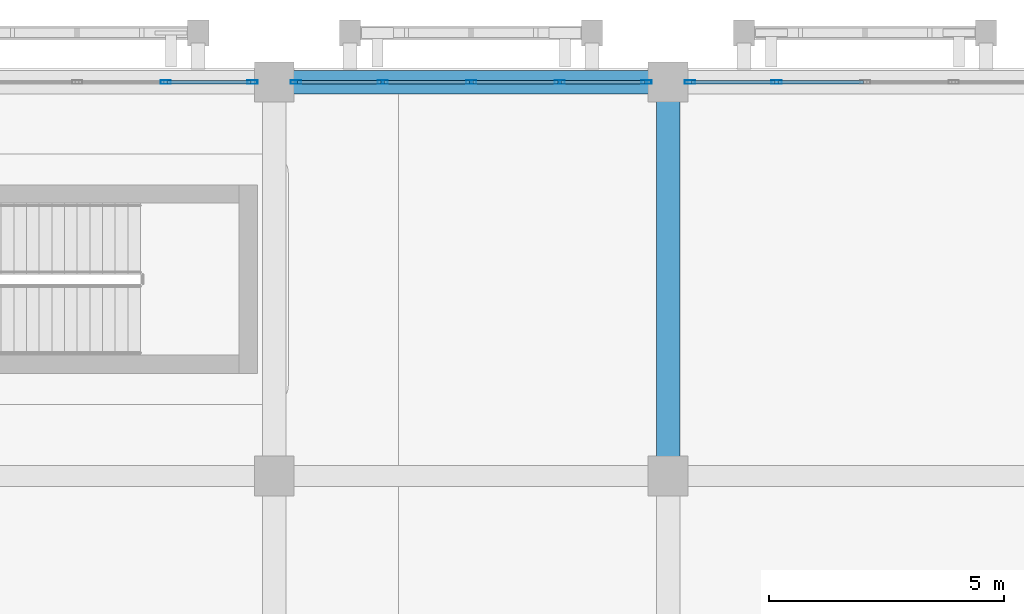
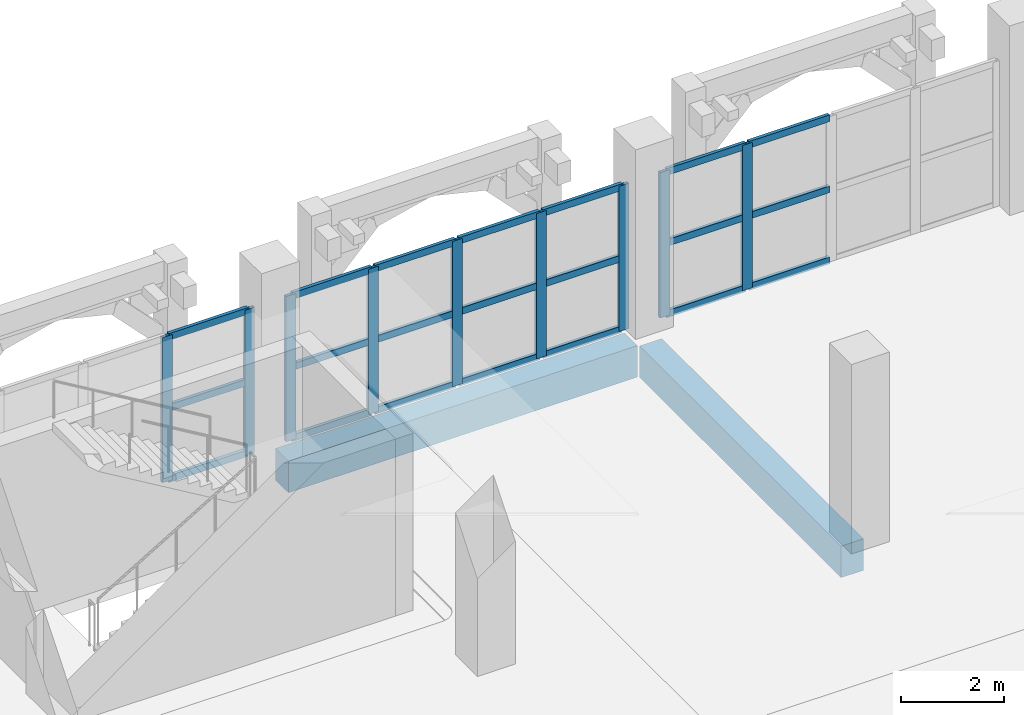
# One storey, part 56 of 129: 30 members, 2 beams, 3 elements without a shape of their own.
"""IFC4 building model written with IfcOpenShell, lengths in metres."""

from ifc_helpers import new_model, si_unit, direction, frame, origin, origin_2d, place, context, subcontext, project, spatial, rectangle, hollow_rectangle, extrude, material, layer, layer_set, material_profile, profile_set, type_object, element, aggregate, save


model = new_model("IFC4")

# Units and contexts
model_context = context("Model", 3, precision=1e-05, world=origin(), true_north=direction((0.0, 1.0)))
body_context = subcontext(model_context, "Body", "Model", "MODEL_VIEW")
ifc_project = project(units=[si_unit("LENGTHUNIT", "METRE"), si_unit("AREAUNIT", "SQUARE_METRE"), si_unit("VOLUMEUNIT", "CUBIC_METRE"), si_unit("PLANEANGLEUNIT", "RADIAN"), si_unit("MASSUNIT", "GRAM", prefix="KILO")], contexts=[model_context])

# Site, building, storey
site_placement = place(None, origin())
site = spatial("IfcSite", under=ifc_project, at=site_placement, CompositionType="ELEMENT")
building_placement = place(site_placement, origin())
building = spatial("IfcBuilding", under=site, at=building_placement, Name="Xazarin Passage Department Store", CompositionType="ELEMENT")
storey_placement = place(building_placement, frame((0.0, 0.0, 9.89990234375)))
storey = spatial("IfcBuildingStorey", under=building, at=storey_placement, Name="L02", CompositionType="ELEMENT", Elevation=9.89990234375)

# Curtain wall, members
ifc_material_1 = material(Name="Bronze anodised aluminium", Category="aluminium")
ifc_layer = layer(ifc_material_1, 0.199951171875)
ifc_layer_set = layer_set([ifc_layer], Name="Bronze anodised aluminium")
curtain_wall_type = type_object("IfcCurtainWallType", Name="ARC-CW-VIT2", PredefinedType="NOTDEFINED", material=ifc_layer_set)
curtain_wall_1_placement = place(storey_placement, origin())
curtain_wall_1 = element("IfcCurtainWall", 1, at=curtain_wall_1_placement, inside=storey, type_object=curtain_wall_type, Name="L02 V1 Curtain Wall 042", PredefinedType="NOTDEFINED")
ifc_material_profile_1 = material_profile(ifc_material_1, hollow_rectangle(XDim=0.074951171875, YDim=0.219970703125, WallThickness=0.0048828125, at=origin_2d()), Name="ALU 75x220")
ifc_profile_set_1 = profile_set([ifc_material_profile_1], Name="Bronze anodised aluminium")
member_type_1 = type_object("IfcMemberType", Name="ARC-CWM-75x220", PredefinedType="MULLION", material=ifc_profile_set_1)
member_1_placement = place(storey_placement, frame((31.28759765625, 110.0, 0.0), z_axis=(0.0, 0.0, 1.0), x_axis=(0.0, 1.0, 0.0)))
member_1 = element("IfcMember", 2, at=member_1_placement, type_object=member_type_1, Name="CW2 mullion 4", PredefinedType="MULLION", context=body_context, shape_type="SweptSolid", body=[
    extrude(hollow_rectangle(XDim=0.074951171875, YDim=0.219970703125, WallThickness=0.0048828125, at=origin_2d()), origin(), (0.0, 0.0, 1.0), 3.4501953125),
])
member_2_placement = place(storey_placement, frame((33.137451171875, 110.0, 0.0), z_axis=(0.0, 0.0, 1.0), x_axis=(0.0, 1.0, 0.0)))
member_2 = element("IfcMember", 3, at=member_2_placement, type_object=member_type_1, Name="CW2 mullion 5", PredefinedType="MULLION", context=body_context, shape_type="SweptSolid", body=[
    extrude(hollow_rectangle(XDim=0.074951171875, YDim=0.219970703125, WallThickness=0.0048828125, at=origin_2d()), origin(), (0.0, 0.0, 1.0), 3.4501953125),
])

curtain_wall_2_placement = place(storey_placement, origin())
curtain_wall_2 = element("IfcCurtainWall", 4, at=curtain_wall_2_placement, inside=storey, type_object=curtain_wall_type, Name="L02 V1 Curtain Wall 043", PredefinedType="NOTDEFINED")
member_3_placement = place(storey_placement, frame((34.0625, 110.0, 0.0), z_axis=(0.0, 0.0, 1.0), x_axis=(0.0, 1.0, 0.0)))
member_3 = element("IfcMember", 5, at=member_3_placement, type_object=member_type_1, Name="CW2 mullion 1", PredefinedType="MULLION", context=body_context, shape_type="SweptSolid", body=[
    extrude(hollow_rectangle(XDim=0.074951171875, YDim=0.219970703125, WallThickness=0.0048828125, at=origin_2d()), origin(), (0.0, 0.0, 1.0), 3.4501953125),
])
member_4_placement = place(storey_placement, frame((35.91259765625, 110.0, 0.0), z_axis=(0.0, 0.0, 1.0), x_axis=(0.0, 1.0, 0.0)))
member_4 = element("IfcMember", 6, at=member_4_placement, type_object=member_type_1, Name="CW2 mullion 2", PredefinedType="MULLION", context=body_context, shape_type="SweptSolid", body=[
    extrude(hollow_rectangle(XDim=0.074951171875, YDim=0.219970703125, WallThickness=0.0048828125, at=origin_2d()), origin(), (0.0, 0.0, 1.0), 3.4501953125),
])
member_5_placement = place(storey_placement, frame((37.800048828125, 110.0, 0.0), z_axis=(0.0, 0.0, 1.0), x_axis=(0.0, 1.0, 0.0)))
member_5 = element("IfcMember", 7, at=member_5_placement, type_object=member_type_1, Name="CW2 mullion 3", PredefinedType="MULLION", context=body_context, shape_type="SweptSolid", body=[
    extrude(hollow_rectangle(XDim=0.074951171875, YDim=0.219970703125, WallThickness=0.0048828125, at=origin_2d()), origin(), (0.0, 0.0, 1.0), 3.4501953125),
])
member_6_placement = place(storey_placement, frame((39.6875, 110.0, 0.0), z_axis=(0.0, 0.0, 1.0), x_axis=(0.0, 1.0, 0.0)))
member_6 = element("IfcMember", 8, at=member_6_placement, type_object=member_type_1, Name="CW2 mullion 4", PredefinedType="MULLION", context=body_context, shape_type="SweptSolid", body=[
    extrude(hollow_rectangle(XDim=0.074951171875, YDim=0.219970703125, WallThickness=0.0048828125, at=origin_2d()), origin(), (0.0, 0.0, 1.0), 3.4501953125),
])
member_7_placement = place(storey_placement, frame((41.53759765625, 110.0, 0.0), z_axis=(0.0, 0.0, 1.0), x_axis=(0.0, 1.0, 0.0)))
member_7 = element("IfcMember", 9, at=member_7_placement, type_object=member_type_1, Name="CW2 mullion 5", PredefinedType="MULLION", context=body_context, shape_type="SweptSolid", body=[
    extrude(hollow_rectangle(XDim=0.074951171875, YDim=0.219970703125, WallThickness=0.0048828125, at=origin_2d()), origin(), (0.0, 0.0, 1.0), 3.4501953125),
])

curtain_wall_3_placement = place(storey_placement, origin())
curtain_wall_3 = element("IfcCurtainWall", 10, at=curtain_wall_3_placement, inside=storey, type_object=curtain_wall_type, Name="L02 V1 Curtain Wall 044", PredefinedType="NOTDEFINED")
member_8_placement = place(storey_placement, frame((42.46240234375, 110.0, 0.0), z_axis=(0.0, 0.0, 1.0), x_axis=(0.0, 1.0, 0.0)))
member_8 = element("IfcMember", 11, at=member_8_placement, type_object=member_type_1, Name="CW2 mullion 1", PredefinedType="MULLION", context=body_context, shape_type="SweptSolid", body=[
    extrude(hollow_rectangle(XDim=0.074951171875, YDim=0.219970703125, WallThickness=0.0048828125, at=origin_2d()), origin(), (0.0, 0.0, 1.0), 3.4501953125),
])
member_9_placement = place(storey_placement, frame((44.3125, 110.0, 0.0), z_axis=(0.0, 0.0, 1.0), x_axis=(0.0, 1.0, 0.0)))
member_9 = element("IfcMember", 12, at=member_9_placement, type_object=member_type_1, Name="CW2 mullion 2", PredefinedType="MULLION", context=body_context, shape_type="SweptSolid", body=[
    extrude(hollow_rectangle(XDim=0.074951171875, YDim=0.219970703125, WallThickness=0.0048828125, at=origin_2d()), origin(), (0.0, 0.0, 1.0), 3.4501953125),
])

# Member
ifc_material_profile_2 = material_profile(ifc_material_1, hollow_rectangle(XDim=0.074951171875, YDim=0.159912109375, WallThickness=0.00439453125, at=origin_2d()), Name="ALU 75x160")
ifc_profile_set_2 = profile_set([ifc_material_profile_2], Name="Bronze anodised aluminium")
member_type_2 = type_object("IfcMemberType", Name="ARC-CWT-75x160", PredefinedType="USERDEFINED", material=ifc_profile_set_2)
member_10_placement = place(storey_placement, frame((31.324951171875, 110.0, 0.03759765625), z_axis=(1.0, 0.0, 0.0), x_axis=(0.0, 1.0, 0.0)))
member_10 = element("IfcMember", 13, at=member_10_placement, type_object=member_type_2, Name="CW2 transom 4.1", ObjectType="TRANSOM", PredefinedType="USERDEFINED", context=body_context, shape_type="SweptSolid", body=[
    extrude(hollow_rectangle(XDim=0.074951171875, YDim=0.159912109375, WallThickness=0.00439453125, at=origin_2d()), origin(), (0.0, 0.0, 1.0), 1.775146484375),
])

member_11_placement = place(storey_placement, frame((31.324951171875, 110.0, 1.72509765625), z_axis=(1.0, 0.0, 0.0), x_axis=(0.0, 1.0, 0.0)))
member_11 = element("IfcMember", 14, at=member_11_placement, type_object=member_type_2, Name="CW2 transom 4.2", ObjectType="TRANSOM", PredefinedType="USERDEFINED", context=body_context, shape_type="SweptSolid", body=[
    extrude(hollow_rectangle(XDim=0.074951171875, YDim=0.159912109375, WallThickness=0.00439453125, at=origin_2d()), origin(), (0.0, 0.0, 1.0), 1.775146484375),
])

member_12_placement = place(storey_placement, frame((31.324951171875, 110.0, 3.41259765625), z_axis=(1.0, 0.0, 0.0), x_axis=(0.0, 1.0, 0.0)))
member_12 = element("IfcMember", 15, at=member_12_placement, type_object=member_type_2, Name="CW2 transom 4.3", ObjectType="TRANSOM", PredefinedType="USERDEFINED", context=body_context, shape_type="SweptSolid", body=[
    extrude(hollow_rectangle(XDim=0.074951171875, YDim=0.159912109375, WallThickness=0.00439453125, at=origin_2d()), origin(), (0.0, 0.0, 1.0), 1.775146484375),
])

aggregate(curtain_wall_1, [member_1, member_2, member_10, member_11, member_12])

member_13_placement = place(storey_placement, frame((34.10009765625, 110.0, 0.03759765625), z_axis=(1.0, 0.0, 0.0), x_axis=(0.0, 1.0, 0.0)))
member_13 = element("IfcMember", 16, at=member_13_placement, type_object=member_type_2, Name="CW2 transom 1.1", ObjectType="TRANSOM", PredefinedType="USERDEFINED", context=body_context, shape_type="SweptSolid", body=[
    extrude(hollow_rectangle(XDim=0.074951171875, YDim=0.159912109375, WallThickness=0.00439453125, at=origin_2d()), origin(), (0.0, 0.0, 1.0), 1.77490234375),
])

member_14_placement = place(storey_placement, frame((34.10009765625, 110.0, 1.72509765625), z_axis=(1.0, 0.0, 0.0), x_axis=(0.0, 1.0, 0.0)))
member_14 = element("IfcMember", 17, at=member_14_placement, type_object=member_type_2, Name="CW2 transom 1.2", ObjectType="TRANSOM", PredefinedType="USERDEFINED", context=body_context, shape_type="SweptSolid", body=[
    extrude(hollow_rectangle(XDim=0.074951171875, YDim=0.159912109375, WallThickness=0.00439453125, at=origin_2d()), origin(), (0.0, 0.0, 1.0), 1.77490234375),
])

member_15_placement = place(storey_placement, frame((34.10009765625, 110.0, 3.41259765625), z_axis=(1.0, 0.0, 0.0), x_axis=(0.0, 1.0, 0.0)))
member_15 = element("IfcMember", 18, at=member_15_placement, type_object=member_type_2, Name="CW2 transom 1.3", ObjectType="TRANSOM", PredefinedType="USERDEFINED", context=body_context, shape_type="SweptSolid", body=[
    extrude(hollow_rectangle(XDim=0.074951171875, YDim=0.159912109375, WallThickness=0.00439453125, at=origin_2d()), origin(), (0.0, 0.0, 1.0), 1.77490234375),
])

member_16_placement = place(storey_placement, frame((35.949951171875, 110.0, 0.03759765625), z_axis=(1.0, 0.0, 0.0), x_axis=(0.0, 1.0, 0.0)))
member_16 = element("IfcMember", 19, at=member_16_placement, type_object=member_type_2, Name="CW2 transom 2.1", ObjectType="TRANSOM", PredefinedType="USERDEFINED", context=body_context, shape_type="SweptSolid", body=[
    extrude(hollow_rectangle(XDim=0.074951171875, YDim=0.159912109375, WallThickness=0.00439453125, at=origin_2d()), origin(), (0.0, 0.0, 1.0), 1.8125),
])

member_17_placement = place(storey_placement, frame((35.949951171875, 110.0, 1.72509765625), z_axis=(1.0, 0.0, 0.0), x_axis=(0.0, 1.0, 0.0)))
member_17 = element("IfcMember", 20, at=member_17_placement, type_object=member_type_2, Name="CW2 transom 2.2", ObjectType="TRANSOM", PredefinedType="USERDEFINED", context=body_context, shape_type="SweptSolid", body=[
    extrude(hollow_rectangle(XDim=0.074951171875, YDim=0.159912109375, WallThickness=0.00439453125, at=origin_2d()), origin(), (0.0, 0.0, 1.0), 1.8125),
])

member_18_placement = place(storey_placement, frame((35.949951171875, 110.0, 3.41259765625), z_axis=(1.0, 0.0, 0.0), x_axis=(0.0, 1.0, 0.0)))
member_18 = element("IfcMember", 21, at=member_18_placement, type_object=member_type_2, Name="CW2 transom 2.3", ObjectType="TRANSOM", PredefinedType="USERDEFINED", context=body_context, shape_type="SweptSolid", body=[
    extrude(hollow_rectangle(XDim=0.074951171875, YDim=0.159912109375, WallThickness=0.00439453125, at=origin_2d()), origin(), (0.0, 0.0, 1.0), 1.8125),
])

member_19_placement = place(storey_placement, frame((37.83740234375, 110.0, 0.03759765625), z_axis=(1.0, 0.0, 0.0), x_axis=(0.0, 1.0, 0.0)))
member_19 = element("IfcMember", 22, at=member_19_placement, type_object=member_type_2, Name="CW2 transom 3.1", ObjectType="TRANSOM", PredefinedType="USERDEFINED", context=body_context, shape_type="SweptSolid", body=[
    extrude(hollow_rectangle(XDim=0.074951171875, YDim=0.159912109375, WallThickness=0.00439453125, at=origin_2d()), origin(), (0.0, 0.0, 1.0), 1.8125),
])

member_20_placement = place(storey_placement, frame((37.83740234375, 110.0, 1.72509765625), z_axis=(1.0, 0.0, 0.0), x_axis=(0.0, 1.0, 0.0)))
member_20 = element("IfcMember", 23, at=member_20_placement, type_object=member_type_2, Name="CW2 transom 3.2", ObjectType="TRANSOM", PredefinedType="USERDEFINED", context=body_context, shape_type="SweptSolid", body=[
    extrude(hollow_rectangle(XDim=0.074951171875, YDim=0.159912109375, WallThickness=0.00439453125, at=origin_2d()), origin(), (0.0, 0.0, 1.0), 1.8125),
])

member_21_placement = place(storey_placement, frame((37.83740234375, 110.0, 3.41259765625), z_axis=(1.0, 0.0, 0.0), x_axis=(0.0, 1.0, 0.0)))
member_21 = element("IfcMember", 24, at=member_21_placement, type_object=member_type_2, Name="CW2 transom 3.3", ObjectType="TRANSOM", PredefinedType="USERDEFINED", context=body_context, shape_type="SweptSolid", body=[
    extrude(hollow_rectangle(XDim=0.074951171875, YDim=0.159912109375, WallThickness=0.00439453125, at=origin_2d()), origin(), (0.0, 0.0, 1.0), 1.8125),
])

member_22_placement = place(storey_placement, frame((39.72509765625, 110.0, 0.03759765625), z_axis=(1.0, 0.0, 0.0), x_axis=(0.0, 1.0, 0.0)))
member_22 = element("IfcMember", 25, at=member_22_placement, type_object=member_type_2, Name="CW2 transom 4.1", ObjectType="TRANSOM", PredefinedType="USERDEFINED", context=body_context, shape_type="SweptSolid", body=[
    extrude(hollow_rectangle(XDim=0.074951171875, YDim=0.159912109375, WallThickness=0.00439453125, at=origin_2d()), origin(), (0.0, 0.0, 1.0), 1.77490234375),
])

member_23_placement = place(storey_placement, frame((39.72509765625, 110.0, 1.72509765625), z_axis=(1.0, 0.0, 0.0), x_axis=(0.0, 1.0, 0.0)))
member_23 = element("IfcMember", 26, at=member_23_placement, type_object=member_type_2, Name="CW2 transom 4.2", ObjectType="TRANSOM", PredefinedType="USERDEFINED", context=body_context, shape_type="SweptSolid", body=[
    extrude(hollow_rectangle(XDim=0.074951171875, YDim=0.159912109375, WallThickness=0.00439453125, at=origin_2d()), origin(), (0.0, 0.0, 1.0), 1.77490234375),
])

member_24_placement = place(storey_placement, frame((39.72509765625, 110.0, 3.41259765625), z_axis=(1.0, 0.0, 0.0), x_axis=(0.0, 1.0, 0.0)))
member_24 = element("IfcMember", 27, at=member_24_placement, type_object=member_type_2, Name="CW2 transom 4.3", ObjectType="TRANSOM", PredefinedType="USERDEFINED", context=body_context, shape_type="SweptSolid", body=[
    extrude(hollow_rectangle(XDim=0.074951171875, YDim=0.159912109375, WallThickness=0.00439453125, at=origin_2d()), origin(), (0.0, 0.0, 1.0), 1.77490234375),
])

aggregate(curtain_wall_2, [member_3, member_4, member_5, member_6, member_7, member_13, member_14, member_15, member_16, member_17, member_18, member_19, member_20, member_21, member_22, member_23, member_24])

member_25_placement = place(storey_placement, frame((42.5, 110.0, 0.03759765625), z_axis=(1.0, 0.0, 0.0), x_axis=(0.0, 1.0, 0.0)))
member_25 = element("IfcMember", 28, at=member_25_placement, type_object=member_type_2, Name="CW2 transom 1.1", ObjectType="TRANSOM", PredefinedType="USERDEFINED", context=body_context, shape_type="SweptSolid", body=[
    extrude(hollow_rectangle(XDim=0.074951171875, YDim=0.159912109375, WallThickness=0.00439453125, at=origin_2d()), origin(), (0.0, 0.0, 1.0), 1.77490234375),
])

member_26_placement = place(storey_placement, frame((42.5, 110.0, 1.72509765625), z_axis=(1.0, 0.0, 0.0), x_axis=(0.0, 1.0, 0.0)))
member_26 = element("IfcMember", 29, at=member_26_placement, type_object=member_type_2, Name="CW2 transom 1.2", ObjectType="TRANSOM", PredefinedType="USERDEFINED", context=body_context, shape_type="SweptSolid", body=[
    extrude(hollow_rectangle(XDim=0.074951171875, YDim=0.159912109375, WallThickness=0.00439453125, at=origin_2d()), origin(), (0.0, 0.0, 1.0), 1.77490234375),
])

member_27_placement = place(storey_placement, frame((42.5, 110.0, 3.41259765625), z_axis=(1.0, 0.0, 0.0), x_axis=(0.0, 1.0, 0.0)))
member_27 = element("IfcMember", 30, at=member_27_placement, type_object=member_type_2, Name="CW2 transom 1.3", ObjectType="TRANSOM", PredefinedType="USERDEFINED", context=body_context, shape_type="SweptSolid", body=[
    extrude(hollow_rectangle(XDim=0.074951171875, YDim=0.159912109375, WallThickness=0.00439453125, at=origin_2d()), origin(), (0.0, 0.0, 1.0), 1.77490234375),
])

member_28_placement = place(storey_placement, frame((44.35009765625, 110.0, 0.03759765625), z_axis=(1.0, 0.0, 0.0), x_axis=(0.0, 1.0, 0.0)))
member_28 = element("IfcMember", 31, at=member_28_placement, type_object=member_type_2, Name="CW2 transom 2.1", ObjectType="TRANSOM", PredefinedType="USERDEFINED", context=body_context, shape_type="SweptSolid", body=[
    extrude(hollow_rectangle(XDim=0.074951171875, YDim=0.159912109375, WallThickness=0.00439453125, at=origin_2d()), origin(), (0.0, 0.0, 1.0), 1.8125),
])

member_29_placement = place(storey_placement, frame((44.35009765625, 110.0, 1.72509765625), z_axis=(1.0, 0.0, 0.0), x_axis=(0.0, 1.0, 0.0)))
member_29 = element("IfcMember", 32, at=member_29_placement, type_object=member_type_2, Name="CW2 transom 2.2", ObjectType="TRANSOM", PredefinedType="USERDEFINED", context=body_context, shape_type="SweptSolid", body=[
    extrude(hollow_rectangle(XDim=0.074951171875, YDim=0.159912109375, WallThickness=0.00439453125, at=origin_2d()), origin(), (0.0, 0.0, 1.0), 1.8125),
])

member_30_placement = place(storey_placement, frame((44.35009765625, 110.0, 3.41259765625), z_axis=(1.0, 0.0, 0.0), x_axis=(0.0, 1.0, 0.0)))
member_30 = element("IfcMember", 33, at=member_30_placement, type_object=member_type_2, Name="CW2 transom 2.3", ObjectType="TRANSOM", PredefinedType="USERDEFINED", context=body_context, shape_type="SweptSolid", body=[
    extrude(hollow_rectangle(XDim=0.074951171875, YDim=0.159912109375, WallThickness=0.00439453125, at=origin_2d()), origin(), (0.0, 0.0, 1.0), 1.8125),
])

aggregate(curtain_wall_3, [member_8, member_9, member_25, member_26, member_27, member_28, member_29, member_30])

# Beams
ifc_material_2 = material(Name="Concrete C35/45", Category="concrete")
ifc_material_profile_3 = material_profile(ifc_material_2, rectangle(XDim=0.5, YDim=0.75, at=origin_2d()), Name="RC 500x750")
ifc_profile_set_3 = profile_set([ifc_material_profile_3], Name="Concrete C35/45")
beam_type = type_object("IfcBeamType", Name="STR-BM-SP500x750", PredefinedType="SPANDREL", material=ifc_profile_set_3)
for number, where, z_axis, x_axis, name in (
    (34, (33.8798828125, 110.0, -0.6748046875), (1.0, 0.0, 0.0), (0.0, 1.0, 0.0), "L02 Grid Beam Q/5-6"),
    (35, (42.0, 101.8798828125, -0.6748046875), (0.0, 1.0, 0.0), (-1.0, 0.0, 0.0), "L02 Grid Beam 6/P-Q"),
):
    element("IfcBeam", number, at=place(storey_placement, frame(where, z_axis=z_axis, x_axis=x_axis)), inside=storey, type_object=beam_type, Name=name, PredefinedType="SPANDREL", context=body_context, shape_type="SweptSolid", body=[
        extrude(rectangle(XDim=0.5, YDim=0.75, at=origin_2d()), origin(), (0.0, 0.0, 1.0), 7.840087890625),
    ])

save(model, "model.ifc")
